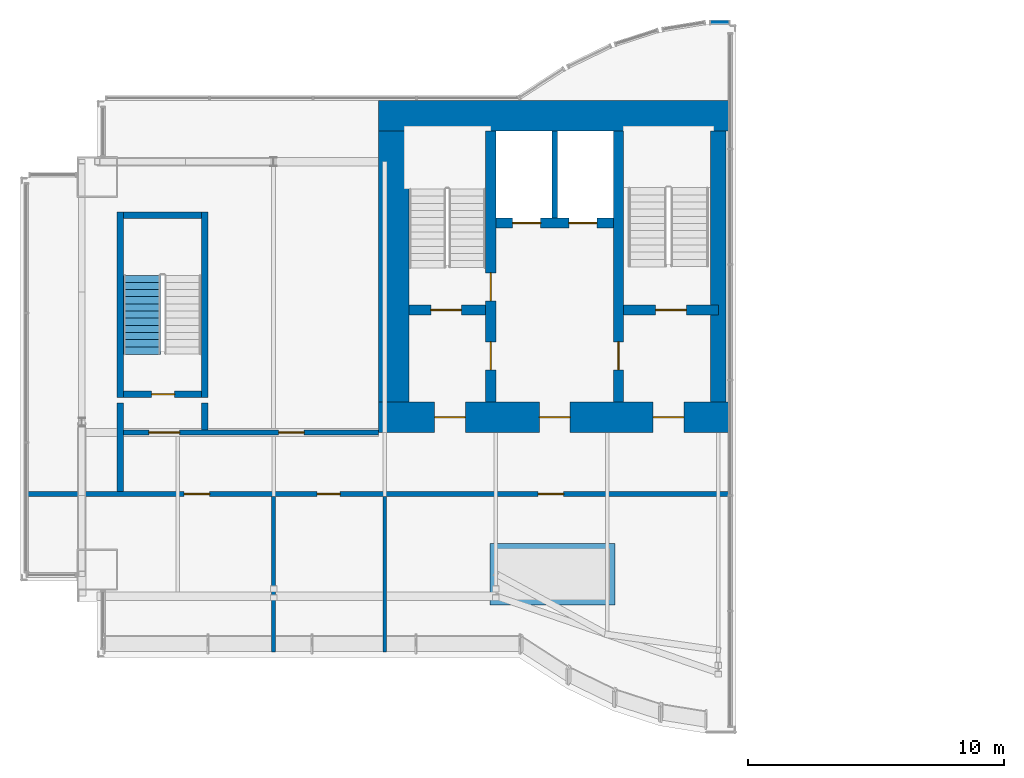
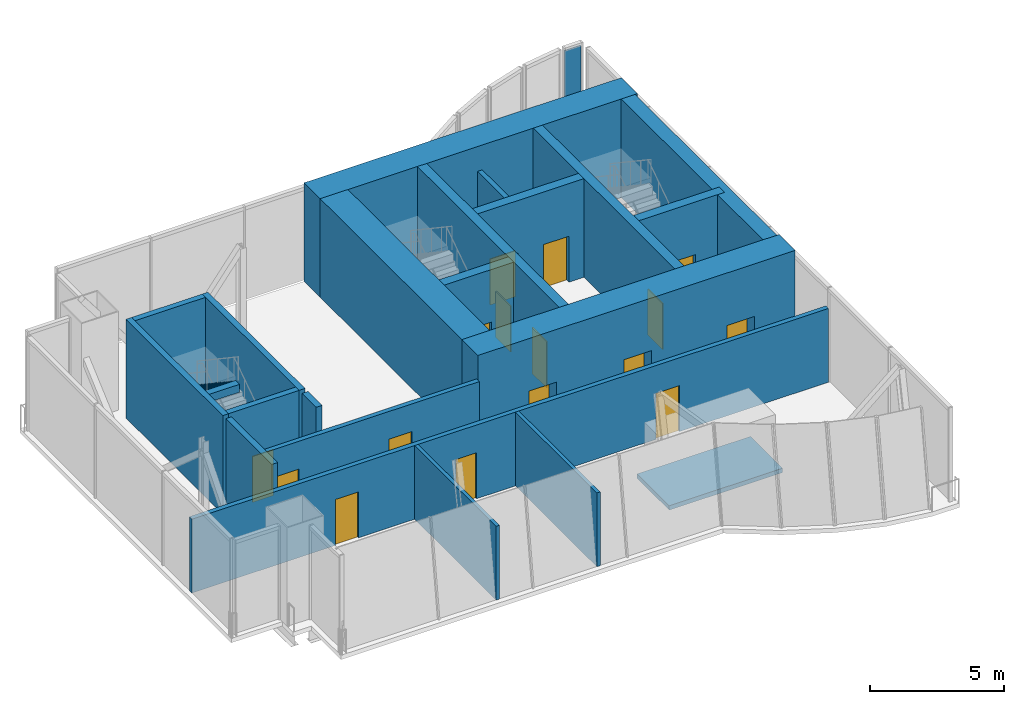
# One storey, part 4 of 7: 21 walls, 16 doors, 1 plate, 1 stair flight, 16 openings, 2 elements without a shape of their own.
"""IFC4 building model written with IfcOpenShell, lengths in metres."""

from ifc_helpers import new_model, si_unit, direction, frame, frame_2d, origin, origin_2d, place, context, subcontext, project, spatial, polyline, rectangle, outline, extrude, material, layer, layer_set, type_object, element, fill, aggregate, save


model = new_model("IFC4")

# Units and contexts
model_context = context("Model", 3, precision=1e-05, world=origin(), true_north=direction((0.0, 1.0)))
body_context = subcontext(model_context, "Body", "Model", "MODEL_VIEW")
ifc_project = project(units=[si_unit("LENGTHUNIT", "METRE"), si_unit("AREAUNIT", "SQUARE_METRE"), si_unit("VOLUMEUNIT", "CUBIC_METRE"), si_unit("PLANEANGLEUNIT", "RADIAN"), si_unit("MASSUNIT", "GRAM", prefix="KILO")], contexts=[model_context])

# Site, building, storey
site_placement = place(None, origin())
site = spatial("IfcSite", under=ifc_project, at=site_placement, CompositionType="ELEMENT")
building_placement = place(site_placement, origin())
building = spatial("IfcBuilding", under=site, at=building_placement, Name="Bicima Exchange Tower", CompositionType="ELEMENT")
storey_placement = place(building_placement, frame((0.0, 0.0, 361.39990234375)))
storey = spatial("IfcBuildingStorey", under=building, at=storey_placement, Name="L81", CompositionType="ELEMENT", Elevation=361.39990234375)

# Curtain wall, plate
ifc_material_1 = material(Name="Anodised bronze aluminium", Category="aluminium")
curtain_wall_type = type_object("IfcCurtainWallType", Name="Crown glass wall", PredefinedType="NOTDEFINED", material=ifc_material_1)
curtain_wall_placement = place(storey_placement, origin())
curtain_wall = element("IfcCurtainWall", 1, at=curtain_wall_placement, inside=storey, type_object=curtain_wall_type, Name="Crown glass wall L81 run 3", PredefinedType="NOTDEFINED")
ifc_material_2 = material(Name="Bronze tinted glass", Category="glass")
ifc_layer_1 = layer(ifc_material_2, 0.035888671875)
ifc_layer_set_1 = layer_set([ifc_layer_1], Name="Bronze tinted glass")
plate_type = type_object("IfcPlateType", Name="Crown glass wall glass panel 36", PredefinedType="CURTAIN_PANEL", material=ifc_layer_set_1)
plate_placement = place(storey_placement, frame((-8.64404296875, 3.052978515625, 0.0), z_axis=(0.0, 0.0, 1.0), x_axis=(-1.0, 0.0, 0.0)))
plate = element("IfcPlate", 2, at=plate_placement, type_object=plate_type, Name="Crown glass wall panel 1.1", PredefinedType="CURTAIN_PANEL", context=body_context, shape_type="SweptSolid", body=[
    extrude(rectangle(XDim=0.708251953125, YDim=0.035888671875, at=origin_2d()), origin(), (0.0, 0.0, 1.0), 4.139892578125),
])
aggregate(curtain_wall, [plate])

# Wall
ifc_material_3 = material(Name="Gypsum board partition")
ifc_layer_2 = layer(ifc_material_3, 0.199951171875)
ifc_layer_set_2 = layer_set([ifc_layer_2], Name="Gypsum board partition")
wall_type_1 = type_object("IfcWallType", Name="Fire-rated gypsum partition 200 EI120", PredefinedType="PARTITIONING", material=ifc_layer_set_2)
wall_1_placement = place(storey_placement, frame((-15.10009765625, -4.60009765625, 0.0), z_axis=(0.0, 0.0, 1.0), x_axis=(0.0, 1.0, 0.0)))
element("IfcWall", 3, at=wall_1_placement, inside=storey, type_object=wall_type_1, Name="partition wall 5", PredefinedType="PARTITIONING", context=body_context, shape_type="SweptSolid", body=[
    extrude(rectangle(XDim=3.400146484375, YDim=0.199951171875, at=frame_2d((1.7001953125, 0.0))), origin(), (0.0, 0.0, 1.0), 3.368408203125),
])

# Wall, openings, doors
ifc_layer_3 = layer(ifc_material_3, 0.199951171875)
ifc_layer_set_3 = layer_set([ifc_layer_3], Name="Gypsum board partition")
wall_type_2 = type_object("IfcWallType", Name="Fire-rated gypsum partition 200 EI60", PredefinedType="PARTITIONING", material=ifc_layer_set_3)
wall_2_placement = place(storey_placement, frame((-35.7900390625, -15.39990234375, 0.0), z_axis=(0.0, 0.0, 1.0), x_axis=(1.0, 0.0, 0.0)))
wall_2 = element("IfcWall", 4, at=wall_2_placement, inside=storey, type_object=wall_type_2, Name="partition wall 1", PredefinedType="PARTITIONING", context=body_context, shape_type="SweptSolid", body=[
    extrude(rectangle(XDim=27.489990234375, YDim=0.199951171875, at=frame_2d((13.7451171875, 0.0))), origin(), (0.0, 0.0, 1.0), 3.368408203125),
])
opening_1_placement = place(wall_2_placement, frame((6.18994140625, 0.0, 0.0)))
opening_1 = element("IfcOpeningElement", 5, at=opening_1_placement, cuts=wall_2, Name="Opening L81-004", PredefinedType="OPENING", context=body_context, shape_type="SweptSolid", body=[
    extrude(rectangle(XDim=1.0, YDim=2.10009765625, at=frame_2d((0.5, 1.050048828125))), frame((0.0, 0.11181640625, 0.0), z_axis=(0.0, -1.0, 0.0), x_axis=(1.0, 0.0, 0.0)), (0.0, 0.0, 1.0), 0.223876953125),
])
opening_2_placement = place(wall_2_placement, frame((11.389892578125, 0.0, 0.0)))
opening_2 = element("IfcOpeningElement", 6, at=opening_2_placement, cuts=wall_2, Name="Opening L81-005", PredefinedType="OPENING", context=body_context, shape_type="SweptSolid", body=[
    extrude(rectangle(XDim=0.89990234375, YDim=2.10009765625, at=frame_2d((0.449951171875, 1.050048828125))), frame((0.0, 0.11181640625, 0.0), z_axis=(0.0, -1.0, 0.0), x_axis=(1.0, 0.0, 0.0)), (0.0, 0.0, 1.0), 0.223876953125),
])
opening_3_placement = place(wall_2_placement, frame((20.0400390625, 0.0, 0.0)))
opening_3 = element("IfcOpeningElement", 7, at=opening_3_placement, cuts=wall_2, Name="Opening L81-006", PredefinedType="OPENING", context=body_context, shape_type="SweptSolid", body=[
    extrude(rectangle(XDim=1.0, YDim=2.10009765625, at=frame_2d((0.5, 1.050048828125))), frame((0.0, 0.11181640625, 0.0), z_axis=(0.0, -1.0, 0.0), x_axis=(1.0, 0.0, 0.0)), (0.0, 0.0, 1.0), 0.223876953125),
])
ifc_material_4 = material(Name="Steel fire door leaf", Category="steel")
door_type_1 = type_object("IfcDoorType", Name="Door 1000 swing FD30S", OperationType="SINGLE_SWING_LEFT", PredefinedType="DOOR", material=ifc_material_4)
door_1_placement = place(opening_1_placement, frame((1.0, 0.0, 0.0), z_axis=(0.0, 0.0, 1.0), x_axis=(-1.0, 0.0, 0.0)))
door_1 = element("IfcDoor", 8, at=door_1_placement, inside=storey, type_object=door_type_1, Name="Door", OperationType="SINGLE_SWING_LEFT", OverallHeight=2.10009765625, OverallWidth=1.0, PredefinedType="DOOR", context=body_context, shape_type="SweptSolid", body=[
    extrude(rectangle(XDim=1.0, YDim=2.10009765625, at=frame_2d((0.5, 1.050048828125))), frame((0.0, 0.02490234375, 0.0), z_axis=(0.0, -1.0, 0.0), x_axis=(1.0, 0.0, 0.0)), (0.0, 0.0, 1.0), 0.050048828125),
])
fill(opening_1, door_1)
door_2_placement = place(opening_3_placement, frame((1.0, 0.0, 0.0), z_axis=(0.0, 0.0, 1.0), x_axis=(-1.0, 0.0, 0.0)))
door_2 = element("IfcDoor", 9, at=door_2_placement, inside=storey, type_object=door_type_1, Name="Door", OperationType="SINGLE_SWING_RIGHT", OverallHeight=2.10009765625, OverallWidth=1.0, PredefinedType="DOOR", context=body_context, shape_type="SweptSolid", body=[
    extrude(rectangle(XDim=1.0, YDim=2.10009765625, at=frame_2d((0.5, 1.050048828125))), frame((0.0, 0.02490234375, 0.0), z_axis=(0.0, -1.0, 0.0), x_axis=(1.0, 0.0, 0.0)), (0.0, 0.0, 1.0), 0.050048828125),
])
fill(opening_3, door_2)
door_type_2 = type_object("IfcDoorType", Name="Door 900 swing FD30S", OperationType="SINGLE_SWING_LEFT", PredefinedType="DOOR", material=ifc_material_4)
door_3_placement = place(opening_2_placement, frame((0.89990234375, 0.0, 0.0), z_axis=(0.0, 0.0, 1.0), x_axis=(-1.0, 0.0, 0.0)))
door_3 = element("IfcDoor", 10, at=door_3_placement, inside=storey, type_object=door_type_2, Name="Door", OperationType="SINGLE_SWING_RIGHT", OverallHeight=2.10009765625, OverallWidth=0.89990234375, PredefinedType="DOOR", context=body_context, shape_type="SweptSolid", body=[
    extrude(rectangle(XDim=0.89990234375, YDim=2.10009765625, at=frame_2d((0.449951171875, 1.050048828125))), frame((0.0, 0.02490234375, 0.0), z_axis=(0.0, -1.0, 0.0), x_axis=(1.0, 0.0, 0.0)), (0.0, 0.0, 1.0), 0.050048828125),
])
fill(opening_2, door_3)

wall_3_placement = place(storey_placement, frame((-31.97509765625, -13.0, 0.0), z_axis=(0.0, 0.0, 1.0), x_axis=(1.0, 0.0, 0.0)))
wall_3 = element("IfcWall", 11, at=wall_3_placement, inside=storey, type_object=wall_type_2, Name="partition wall 2", PredefinedType="PARTITIONING", context=body_context, shape_type="SweptSolid", body=[
    extrude(rectangle(XDim=9.97509765625, YDim=0.199951171875, at=frame_2d((4.987548828125, 0.0))), origin(), (0.0, 0.0, 1.0), 3.368408203125),
])
opening_4_placement = place(wall_3_placement, frame((1.0, 0.0, 0.0)))
opening_4 = element("IfcOpeningElement", 12, at=opening_4_placement, cuts=wall_3, Name="Opening L81-001", PredefinedType="OPENING", context=body_context, shape_type="SweptSolid", body=[
    extrude(rectangle(XDim=1.199951171875, YDim=2.10009765625, at=frame_2d((0.60009765625, 1.050048828125))), frame((0.0, 0.11181640625, 0.0), z_axis=(0.0, -1.0, 0.0), x_axis=(1.0, 0.0, 0.0)), (0.0, 0.0, 1.0), 0.223876953125),
])
opening_5_placement = place(wall_3_placement, frame((6.074951171875, 0.0, 0.0)))
opening_5 = element("IfcOpeningElement", 13, at=opening_5_placement, cuts=wall_3, Name="Opening L81-003", PredefinedType="OPENING", context=body_context, shape_type="SweptSolid", body=[
    extrude(rectangle(XDim=1.0, YDim=2.10009765625, at=frame_2d((0.5, 1.050048828125))), frame((0.0, 0.11181640625, 0.0), z_axis=(0.0, -1.0, 0.0), x_axis=(1.0, 0.0, 0.0)), (0.0, 0.0, 1.0), 0.223876953125),
])
door_4_placement = place(opening_5_placement, origin())
door_4 = element("IfcDoor", 14, at=door_4_placement, inside=storey, type_object=door_type_1, Name="Door", OperationType="SINGLE_SWING_RIGHT", OverallHeight=2.10009765625, OverallWidth=1.0, PredefinedType="DOOR", context=body_context, shape_type="SweptSolid", body=[
    extrude(rectangle(XDim=1.0, YDim=2.10009765625, at=frame_2d((0.5, 1.050048828125))), frame((0.0, 0.02490234375, 0.0), z_axis=(0.0, -1.0, 0.0), x_axis=(1.0, 0.0, 0.0)), (0.0, 0.0, 1.0), 0.050048828125),
])
fill(opening_5, door_4)
door_type_3 = type_object("IfcDoorType", Name="Door 1200 swing FD30S", OperationType="SINGLE_SWING_LEFT", PredefinedType="DOOR", material=ifc_material_4)
door_5_placement = place(opening_4_placement, origin())
door_5 = element("IfcDoor", 15, at=door_5_placement, inside=storey, type_object=door_type_3, Name="Door", OperationType="SINGLE_SWING_LEFT", OverallHeight=2.10009765625, OverallWidth=1.199951171875, PredefinedType="DOOR", context=body_context, shape_type="SweptSolid", body=[
    extrude(rectangle(XDim=1.199951171875, YDim=2.10009765625, at=frame_2d((0.60009765625, 1.050048828125))), frame((0.0, 0.02490234375, 0.0), z_axis=(0.0, -1.0, 0.0), x_axis=(1.0, 0.0, 0.0)), (0.0, 0.0, 1.0), 0.050048828125),
])
fill(opening_4, door_5)

# Walls
ifc_layer_4 = layer(ifc_material_3, 0.14990234375)
ifc_layer_set_4 = layer_set([ifc_layer_4], Name="Gypsum board partition")
wall_type_3 = type_object("IfcWallType", Name="Gypsum partition 150", PredefinedType="PARTITIONING", material=ifc_layer_set_4)
for number, where, z_axis, x_axis, name in (
    (16, (-26.10009765625, -21.590087890625, 0.0), (0.0, 0.0, 1.0), (0.0, 1.0, 0.0), "partition wall 7"),
    (17, (-21.75, -21.590087890625, 0.0), (0.0, 0.0, 1.0), (0.0, 1.0, 0.0), "partition wall 8"),
):
    element("IfcWall", number, at=place(storey_placement, frame(where, z_axis=z_axis, x_axis=x_axis)), inside=storey, type_object=wall_type_3, Name=name, PredefinedType="PARTITIONING", context=body_context, shape_type="SweptSolid", body=[
        extrude(rectangle(XDim=6.090087890625, YDim=0.14990234375, at=frame_2d((3.044921875, 0.0))), origin(), (0.0, 0.0, 1.0), 3.368408203125),
    ])
ifc_material_5 = material(Name="Concrete C40/50", Category="concrete")
ifc_layer_5 = layer(ifc_material_5, 0.2)
ifc_layer_set_5 = layer_set([ifc_layer_5], Name="Concrete C40/50")
wall_type_4 = type_object("IfcWallType", Name="Plant plinth 200", PredefinedType="USERDEFINED", material=ifc_layer_set_5)
wall_4_placement = place(storey_placement, frame((-15.18505859375, -18.544921875, 0.0), z_axis=(0.0, 0.0, 1.0), x_axis=(1.0, 0.0, 0.0)))
element("IfcWall", 18, at=wall_4_placement, inside=storey, type_object=wall_type_4, Name="Plant plinth Generator set", ObjectType="PLINTH", PredefinedType="USERDEFINED", context=body_context, shape_type="SweptSolid", body=[
    extrude(rectangle(XDim=4.89990234375, YDim=2.39990234375, at=origin_2d()), origin(), (0.0, 0.0, 1.0), 0.199951171875),
])
ifc_layer_6 = layer(ifc_material_5, 1.199951171875)
ifc_layer_set_6 = layer_set([ifc_layer_6], Name="Concrete C40/50")
wall_type_5 = type_object("IfcWallType", Name="RC core wall 1200 C40/50", PredefinedType="SHEAR", material=ifc_layer_set_6)
wall_5_placement = place(storey_placement, frame((-22.0, -0.60009765625, 0.0), z_axis=(0.0, 0.0, 1.0), x_axis=(1.0, 0.0, 0.0)))
element("IfcWall", 19, at=wall_5_placement, inside=storey, type_object=wall_type_5, Name="Core wall north-W", PredefinedType="SHEAR", context=body_context, shape_type="SweptSolid", body=[
    extrude(rectangle(XDim=13.699951171875, YDim=1.199951171875, at=frame_2d((6.85009765625, 0.0))), origin(), (0.0, 0.0, 1.0), 4.5),
])

# Wall, openings, doors
wall_6_placement = place(storey_placement, frame((-22.0, -12.39990234375, 0.0), z_axis=(0.0, 0.0, 1.0), x_axis=(1.0, 0.0, 0.0)))
wall_6 = element("IfcWall", 20, at=wall_6_placement, inside=storey, type_object=wall_type_5, Name="Core wall south-W", PredefinedType="SHEAR", context=body_context, shape_type="SweptSolid", body=[
    extrude(rectangle(XDim=13.699951171875, YDim=1.199951171875, at=frame_2d((6.85009765625, 0.0))), origin(), (0.0, 0.0, 1.0), 4.5),
])
opening_6_placement = place(wall_6_placement, frame((2.199951171875, 0.0, 0.0)))
opening_6 = element("IfcOpeningElement", 21, at=opening_6_placement, cuts=wall_6, Name="Opening L81-C06", PredefinedType="OPENING", context=body_context, shape_type="SweptSolid", body=[
    extrude(rectangle(XDim=1.199951171875, YDim=2.10009765625, at=frame_2d((0.60009765625, 1.050048828125))), frame((0.0, 0.61181640625, 0.0), z_axis=(0.0, -1.0, 0.0), x_axis=(1.0, 0.0, 0.0)), (0.0, 0.0, 1.0), 1.223876953125),
])
opening_7_placement = place(wall_6_placement, frame((10.75, 0.0, 0.0)))
opening_7 = element("IfcOpeningElement", 22, at=opening_7_placement, cuts=wall_6, Name="Opening L81-C07", PredefinedType="OPENING", context=body_context, shape_type="SweptSolid", body=[
    extrude(rectangle(XDim=1.199951171875, YDim=2.10009765625, at=frame_2d((0.60009765625, 1.050048828125))), frame((0.0, 0.61181640625, 0.0), z_axis=(0.0, -1.0, 0.0), x_axis=(1.0, 0.0, 0.0)), (0.0, 0.0, 1.0), 1.223876953125),
])
opening_8_placement = place(wall_6_placement, frame((6.300048828125, 0.0, 0.0)))
opening_8 = element("IfcOpeningElement", 23, at=opening_8_placement, cuts=wall_6, Name="Opening L81-C08", PredefinedType="OPENING", context=body_context, shape_type="SweptSolid", body=[
    extrude(rectangle(XDim=1.199951171875, YDim=2.10009765625, at=frame_2d((0.60009765625, 1.050048828125))), frame((0.0, 0.61181640625, 0.0), z_axis=(0.0, -1.0, 0.0), x_axis=(1.0, 0.0, 0.0)), (0.0, 0.0, 1.0), 1.223876953125),
])
door_type_4 = type_object("IfcDoorType", Name="Door 1200 swing FD60S", OperationType="SINGLE_SWING_LEFT", PredefinedType="DOOR", material=ifc_material_4)
door_6_placement = place(opening_6_placement, frame((1.199951171875, 0.0, 0.0), z_axis=(0.0, 0.0, 1.0), x_axis=(-1.0, 0.0, 0.0)))
door_6 = element("IfcDoor", 24, at=door_6_placement, inside=storey, type_object=door_type_4, Name="Core door", OperationType="SINGLE_SWING_RIGHT", OverallHeight=2.10009765625, OverallWidth=1.199951171875, PredefinedType="DOOR", context=body_context, shape_type="SweptSolid", body=[
    extrude(rectangle(XDim=1.199951171875, YDim=2.10009765625, at=frame_2d((0.60009765625, 1.050048828125))), frame((0.0, 0.02490234375, 0.0), z_axis=(0.0, -1.0, 0.0), x_axis=(1.0, 0.0, 0.0)), (0.0, 0.0, 1.0), 0.050048828125),
])
fill(opening_6, door_6)
door_7_placement = place(opening_7_placement, frame((1.199951171875, 0.0, 0.0), z_axis=(0.0, 0.0, 1.0), x_axis=(-1.0, 0.0, 0.0)))
door_7 = element("IfcDoor", 25, at=door_7_placement, inside=storey, type_object=door_type_4, Name="Core door", OperationType="SINGLE_SWING_RIGHT", OverallHeight=2.10009765625, OverallWidth=1.199951171875, PredefinedType="DOOR", context=body_context, shape_type="SweptSolid", body=[
    extrude(rectangle(XDim=1.199951171875, YDim=2.10009765625, at=frame_2d((0.60009765625, 1.050048828125))), frame((0.0, 0.02490234375, 0.0), z_axis=(0.0, -1.0, 0.0), x_axis=(1.0, 0.0, 0.0)), (0.0, 0.0, 1.0), 0.050048828125),
])
fill(opening_7, door_7)
door_8_placement = place(opening_8_placement, frame((1.199951171875, 0.0, 0.0), z_axis=(0.0, 0.0, 1.0), x_axis=(-1.0, 0.0, 0.0)))
door_8 = element("IfcDoor", 26, at=door_8_placement, inside=storey, type_object=door_type_4, Name="Core door", OperationType="SINGLE_SWING_RIGHT", OverallHeight=2.10009765625, OverallWidth=1.199951171875, PredefinedType="DOOR", context=body_context, shape_type="SweptSolid", body=[
    extrude(rectangle(XDim=1.199951171875, YDim=2.10009765625, at=frame_2d((0.60009765625, 1.050048828125))), frame((0.0, 0.02490234375, 0.0), z_axis=(0.0, -1.0, 0.0), x_axis=(1.0, 0.0, 0.0)), (0.0, 0.0, 1.0), 0.050048828125),
])
fill(opening_8, door_8)

# Walls
wall_7_placement = place(storey_placement, frame((-21.39990234375, -11.800048828125, 0.0), z_axis=(0.0, 0.0, 1.0), x_axis=(0.0, 1.0, 0.0)))
element("IfcWall", 27, at=wall_7_placement, inside=storey, type_object=wall_type_5, Name="Core wall outer-W", PredefinedType="SHEAR", context=body_context, shape_type="SweptSolid", body=[
    extrude(rectangle(XDim=10.60009765625, YDim=1.199951171875, at=frame_2d((5.300048828125, 0.0))), origin(), (0.0, 0.0, 1.0), 4.5),
])
ifc_material_6 = material(Name="Concrete C50/60", Category="concrete")
ifc_layer_7 = layer(ifc_material_6, 0.25)
ifc_layer_set_7 = layer_set([ifc_layer_7], Name="Concrete C50/60")
wall_type_6 = type_object("IfcWallType", Name="RC core wall 250 C50/60", PredefinedType="SHEAR", material=ifc_layer_set_7)
wall_8_placement = place(storey_placement, frame((-32.10009765625, -15.300048828125, 0.0), z_axis=(0.0, 0.0, 1.0), x_axis=(0.0, 1.0, 0.0)))
element("IfcWall", 28, at=wall_8_placement, inside=storey, type_object=wall_type_6, Name="stair wall 5", PredefinedType="SHEAR", context=body_context, shape_type="SweptSolid", body=[
    extrude(rectangle(XDim=3.449951171875, YDim=0.25, at=frame_2d((1.72509765625, 0.0))), origin(), (0.0, 0.0, 1.0), 4.5),
])
wall_9_placement = place(storey_placement, frame((-28.800048828125, -12.89990234375, 0.0), z_axis=(0.0, 0.0, 1.0), x_axis=(0.0, 1.0, 0.0)))
element("IfcWall", 29, at=wall_9_placement, inside=storey, type_object=wall_type_6, Name="stair wall 6", PredefinedType="SHEAR", context=body_context, shape_type="SweptSolid", body=[
    extrude(rectangle(XDim=1.0498046875, YDim=0.25, at=frame_2d((0.52490234375, 0.0))), origin(), (0.0, 0.0, 1.0), 4.5),
])

# Wall, openings, doors
ifc_layer_8 = layer(ifc_material_5, 0.39990234375)
ifc_layer_set_8 = layer_set([ifc_layer_8], Name="Concrete C40/50")
wall_type_7 = type_object("IfcWallType", Name="RC core wall 400 C40/50", PredefinedType="SHEAR", material=ifc_layer_set_8)
wall_10_placement = place(storey_placement, frame((-17.39990234375, -4.800048828125, 0.0), z_axis=(0.0, 0.0, 1.0), x_axis=(1.0, 0.0, 0.0)))
wall_10 = element("IfcWall", 30, at=wall_10_placement, inside=storey, type_object=wall_type_7, Name="shear wall 3", PredefinedType="SHEAR", context=body_context, shape_type="SweptSolid", body=[
    extrude(rectangle(XDim=4.599853515625, YDim=0.39990234375, at=frame_2d((2.2998046875, 0.0))), origin(), (0.0, 0.0, 1.0), 4.5),
])
opening_9_placement = place(wall_10_placement, frame((0.64990234375, 0.0, 0.0)))
opening_9 = element("IfcOpeningElement", 31, at=opening_9_placement, cuts=wall_10, Name="Opening LD-FF1-L81", PredefinedType="OPENING", context=body_context, shape_type="SweptSolid", body=[
    extrude(rectangle(XDim=1.10009765625, YDim=2.10009765625, at=frame_2d((0.550048828125, 1.050048828125))), frame((0.0, 0.2119140625, 0.0), z_axis=(0.0, -1.0, 0.0), x_axis=(1.0, 0.0, 0.0)), (0.0, 0.0, 1.0), 0.423828125),
])
opening_10_placement = place(wall_10_placement, frame((2.85009765625, 0.0, 0.0)))
opening_10 = element("IfcOpeningElement", 32, at=opening_10_placement, cuts=wall_10, Name="Opening LD-FF3-L81", PredefinedType="OPENING", context=body_context, shape_type="SweptSolid", body=[
    extrude(rectangle(XDim=1.10009765625, YDim=2.10009765625, at=frame_2d((0.550048828125, 1.050048828125))), frame((0.0, 0.2119140625, 0.0), z_axis=(0.0, -1.0, 0.0), x_axis=(1.0, 0.0, 0.0)), (0.0, 0.0, 1.0), 0.423828125),
])
ifc_material_7 = material(Name="Stainless steel", Category="steel")
door_type_5 = type_object("IfcDoorType", Name="Lift landing door 1100 sliding", OperationType="DOUBLE_DOOR_SLIDING", PredefinedType="DOOR", material=ifc_material_7)
door_9_placement = place(opening_9_placement, origin())
door_9 = element("IfcDoor", 33, at=door_9_placement, inside=storey, type_object=door_type_5, Name="Lift landing door FF1", OperationType="DOUBLE_DOOR_SLIDING", OverallHeight=2.10009765625, OverallWidth=1.10009765625, PredefinedType="DOOR", context=body_context, shape_type="SweptSolid", body=[
    extrude(rectangle(XDim=1.10009765625, YDim=2.10009765625, at=frame_2d((0.550048828125, 1.050048828125))), frame((0.0, 0.02490234375, 0.0), z_axis=(0.0, -1.0, 0.0), x_axis=(1.0, 0.0, 0.0)), (0.0, 0.0, 1.0), 0.050048828125),
])
fill(opening_9, door_9)
door_10_placement = place(opening_10_placement, origin())
door_10 = element("IfcDoor", 34, at=door_10_placement, inside=storey, type_object=door_type_5, Name="Lift landing door FF3", OperationType="DOUBLE_DOOR_SLIDING", OverallHeight=2.10009765625, OverallWidth=1.10009765625, PredefinedType="DOOR", context=body_context, shape_type="SweptSolid", body=[
    extrude(rectangle(XDim=1.10009765625, YDim=2.10009765625, at=frame_2d((0.550048828125, 1.050048828125))), frame((0.0, 0.02490234375, 0.0), z_axis=(0.0, -1.0, 0.0), x_axis=(1.0, 0.0, 0.0)), (0.0, 0.0, 1.0), 0.050048828125),
])
fill(opening_10, door_10)

# Wall, opening, door
ifc_layer_9 = layer(ifc_material_6, 0.39990234375)
ifc_layer_set_9 = layer_set([ifc_layer_9], Name="Concrete C50/60")
wall_type_8 = type_object("IfcWallType", Name="RC core wall 400 C50/60", PredefinedType="SHEAR", material=ifc_layer_set_9)
wall_11_placement = place(storey_placement, frame((-20.800048828125, -8.199951171875, 0.0), z_axis=(0.0, 0.0, 1.0), x_axis=(1.0, 0.0, 0.0)))
wall_11 = element("IfcWall", 35, at=wall_11_placement, inside=storey, type_object=wall_type_8, Name="stair wall 1", PredefinedType="SHEAR", context=body_context, shape_type="SweptSolid", body=[
    extrude(rectangle(XDim=3.0, YDim=0.39990234375, at=frame_2d((1.5, 0.0))), origin(), (0.0, 0.0, 1.0), 4.5),
])
opening_11_placement = place(wall_11_placement, frame((0.85009765625, 0.0, 0.0)))
opening_11 = element("IfcOpeningElement", 36, at=opening_11_placement, cuts=wall_11, Name="Opening L81-C01", PredefinedType="OPENING", context=body_context, shape_type="SweptSolid", body=[
    extrude(rectangle(XDim=1.199951171875, YDim=2.10009765625, at=frame_2d((0.60009765625, 1.050048828125))), frame((0.0, 0.2119140625, 0.0), z_axis=(0.0, -1.0, 0.0), x_axis=(1.0, 0.0, 0.0)), (0.0, 0.0, 1.0), 0.423828125),
])
door_11_placement = place(opening_11_placement, origin())
door_11 = element("IfcDoor", 37, at=door_11_placement, inside=storey, type_object=door_type_4, Name="Core door", OperationType="SINGLE_SWING_LEFT", OverallHeight=2.10009765625, OverallWidth=1.199951171875, PredefinedType="DOOR", context=body_context, shape_type="SweptSolid", body=[
    extrude(rectangle(XDim=1.199951171875, YDim=2.10009765625, at=frame_2d((0.60009765625, 1.050048828125))), frame((0.0, 0.02490234375, 0.0), z_axis=(0.0, -1.0, 0.0), x_axis=(1.0, 0.0, 0.0)), (0.0, 0.0, 1.0), 0.050048828125),
])
fill(opening_11, door_11)

wall_12_placement = place(storey_placement, frame((-12.39990234375, -8.199951171875, 0.0), z_axis=(0.0, 0.0, 1.0), x_axis=(1.0, 0.0, 0.0)))
wall_12 = element("IfcWall", 38, at=wall_12_placement, inside=storey, type_object=wall_type_8, Name="stair wall 2", PredefinedType="SHEAR", context=body_context, shape_type="SweptSolid", body=[
    extrude(rectangle(XDim=3.699951171875, YDim=0.39990234375, at=frame_2d((1.85009765625, 0.0))), origin(), (0.0, 0.0, 1.0), 4.5),
])
opening_12_placement = place(wall_12_placement, frame((1.25, 0.0, 0.0)))
opening_12 = element("IfcOpeningElement", 39, at=opening_12_placement, cuts=wall_12, Name="Opening L81-C03", PredefinedType="OPENING", context=body_context, shape_type="SweptSolid", body=[
    extrude(rectangle(XDim=1.199951171875, YDim=2.10009765625, at=frame_2d((0.60009765625, 1.050048828125))), frame((0.0, 0.2119140625, 0.0), z_axis=(0.0, -1.0, 0.0), x_axis=(1.0, 0.0, 0.0)), (0.0, 0.0, 1.0), 0.423828125),
])
door_12_placement = place(opening_12_placement, origin())
door_12 = element("IfcDoor", 40, at=door_12_placement, inside=storey, type_object=door_type_4, Name="Core door", OperationType="SINGLE_SWING_LEFT", OverallHeight=2.10009765625, OverallWidth=1.199951171875, PredefinedType="DOOR", context=body_context, shape_type="SweptSolid", body=[
    extrude(rectangle(XDim=1.199951171875, YDim=2.10009765625, at=frame_2d((0.60009765625, 1.050048828125))), frame((0.0, 0.02490234375, 0.0), z_axis=(0.0, -1.0, 0.0), x_axis=(1.0, 0.0, 0.0)), (0.0, 0.0, 1.0), 0.050048828125),
])
fill(opening_12, door_12)

# Wall, openings, doors
wall_13_placement = place(storey_placement, frame((-17.60009765625, -11.800048828125, 0.0), z_axis=(0.0, 0.0, 1.0), x_axis=(0.0, 1.0, 0.0)))
wall_13 = element("IfcWall", 41, at=wall_13_placement, inside=storey, type_object=wall_type_8, Name="stair wall 4", PredefinedType="SHEAR", context=body_context, shape_type="SweptSolid", body=[
    extrude(rectangle(XDim=10.60009765625, YDim=0.39990234375, at=frame_2d((5.300048828125, 0.0))), origin(), (0.0, 0.0, 1.0), 4.5),
])
opening_13_placement = place(wall_13_placement, frame((1.25, 0.0, 0.0)))
opening_13 = element("IfcOpeningElement", 42, at=opening_13_placement, cuts=wall_13, Name="Opening L81-C02", PredefinedType="OPENING", context=body_context, shape_type="SweptSolid", body=[
    extrude(rectangle(XDim=1.10009765625, YDim=2.10009765625, at=frame_2d((0.550048828125, 1.050048828125))), frame((0.0, 0.2119140625, 0.0), z_axis=(0.0, -1.0, 0.0), x_axis=(1.0, 0.0, 0.0)), (0.0, 0.0, 1.0), 0.423828125),
])
opening_14_placement = place(wall_13_placement, frame((3.949951171875, 0.0, 0.0)))
opening_14 = element("IfcOpeningElement", 43, at=opening_14_placement, cuts=wall_13, Name="Opening L81-C05", PredefinedType="OPENING", context=body_context, shape_type="SweptSolid", body=[
    extrude(rectangle(XDim=1.10009765625, YDim=2.10009765625, at=frame_2d((0.550048828125, 1.050048828125))), frame((0.0, 0.2119140625, 0.0), z_axis=(0.0, -1.0, 0.0), x_axis=(1.0, 0.0, 0.0)), (0.0, 0.0, 1.0), 0.423828125),
])
door_type_6 = type_object("IfcDoorType", Name="Door 1100 swing FD60S", OperationType="SINGLE_SWING_LEFT", PredefinedType="DOOR", material=ifc_material_4)
door_13_placement = place(opening_13_placement, frame((1.10009765625, 0.0, 0.0), z_axis=(0.0, 0.0, 1.0), x_axis=(-1.0, 0.0, 0.0)))
door_13 = element("IfcDoor", 44, at=door_13_placement, inside=storey, type_object=door_type_6, Name="Core door", OperationType="SINGLE_SWING_LEFT", OverallHeight=2.10009765625, OverallWidth=1.10009765625, PredefinedType="DOOR", context=body_context, shape_type="SweptSolid", body=[
    extrude(rectangle(XDim=1.10009765625, YDim=2.10009765625, at=frame_2d((0.550048828125, 1.050048828125))), frame((0.0, 0.02490234375, 0.0), z_axis=(0.0, -1.0, 0.0), x_axis=(1.0, 0.0, 0.0)), (0.0, 0.0, 1.0), 0.050048828125),
])
fill(opening_13, door_13)
door_14_placement = place(opening_14_placement, frame((1.10009765625, 0.0, 0.0), z_axis=(0.0, 0.0, 1.0), x_axis=(-1.0, 0.0, 0.0)))
door_14 = element("IfcDoor", 45, at=door_14_placement, inside=storey, type_object=door_type_6, Name="Core door", OperationType="SINGLE_SWING_RIGHT", OverallHeight=2.10009765625, OverallWidth=1.10009765625, PredefinedType="DOOR", context=body_context, shape_type="SweptSolid", body=[
    extrude(rectangle(XDim=1.10009765625, YDim=2.10009765625, at=frame_2d((0.550048828125, 1.050048828125))), frame((0.0, 0.02490234375, 0.0), z_axis=(0.0, -1.0, 0.0), x_axis=(1.0, 0.0, 0.0)), (0.0, 0.0, 1.0), 0.050048828125),
])
fill(opening_14, door_14)

# Wall, opening, door
wall_14_placement = place(storey_placement, frame((-12.60009765625, -11.800048828125, 0.0), z_axis=(0.0, 0.0, 1.0), x_axis=(0.0, 1.0, 0.0)))
wall_14 = element("IfcWall", 46, at=wall_14_placement, inside=storey, type_object=wall_type_8, Name="stair wall 6", PredefinedType="SHEAR", context=body_context, shape_type="SweptSolid", body=[
    extrude(rectangle(XDim=10.60009765625, YDim=0.39990234375, at=frame_2d((5.300048828125, 0.0))), origin(), (0.0, 0.0, 1.0), 4.5),
])
opening_15_placement = place(wall_14_placement, frame((1.25, 0.0, 0.0)))
opening_15 = element("IfcOpeningElement", 47, at=opening_15_placement, cuts=wall_14, Name="Opening L81-C04", PredefinedType="OPENING", context=body_context, shape_type="SweptSolid", body=[
    extrude(rectangle(XDim=1.10009765625, YDim=2.10009765625, at=frame_2d((0.550048828125, 1.050048828125))), frame((0.0, 0.2119140625, 0.0), z_axis=(0.0, -1.0, 0.0), x_axis=(1.0, 0.0, 0.0)), (0.0, 0.0, 1.0), 0.423828125),
])
door_15_placement = place(opening_15_placement, origin())
door_15 = element("IfcDoor", 48, at=door_15_placement, inside=storey, type_object=door_type_6, Name="Core door", OperationType="SINGLE_SWING_RIGHT", OverallHeight=2.10009765625, OverallWidth=1.10009765625, PredefinedType="DOOR", context=body_context, shape_type="SweptSolid", body=[
    extrude(rectangle(XDim=1.10009765625, YDim=2.10009765625, at=frame_2d((0.550048828125, 1.050048828125))), frame((0.0, 0.02490234375, 0.0), z_axis=(0.0, -1.0, 0.0), x_axis=(1.0, 0.0, 0.0)), (0.0, 0.0, 1.0), 0.050048828125),
])
fill(opening_15, door_15)

# Walls
ifc_layer_10 = layer(ifc_material_5, 0.60009765625)
ifc_layer_set_10 = layer_set([ifc_layer_10], Name="Concrete C40/50")
wall_type_9 = type_object("IfcWallType", Name="RC core wall 600 C40/50", PredefinedType="SHEAR", material=ifc_layer_set_10)
wall_15_placement = place(storey_placement, frame((-8.699951171875, -11.800048828125, 0.0), z_axis=(0.0, 0.0, 1.0), x_axis=(0.0, 1.0, 0.0)))
element("IfcWall", 49, at=wall_15_placement, inside=storey, type_object=wall_type_9, Name="Core wall close-W", PredefinedType="SHEAR", context=body_context, shape_type="SweptSolid", body=[
    extrude(rectangle(XDim=10.60009765625, YDim=0.60009765625, at=frame_2d((5.300048828125, 0.0))), origin(), (0.0, 0.0, 1.0), 4.5),
])
ifc_layer_11 = layer(ifc_material_6, 0.25)
ifc_layer_set_11 = layer_set([ifc_layer_11], Name="Concrete C50/60")
wall_type_10 = type_object("IfcWallType", Name="RC stair enclosure wall 250 C50/60", PredefinedType="SHEAR", material=ifc_layer_set_11)
for number, where, z_axis, x_axis, name in (
    (50, (-32.10009765625, -11.625, 0.0), (0.0, 0.0, 1.0), (0.0, 1.0, 0.0), "West end exit stair wall W"),
    (51, (-28.800048828125, -11.625, 0.0), (0.0, 0.0, 1.0), (0.0, 1.0, 0.0), "West end exit stair wall E"),
):
    element("IfcWall", number, at=place(storey_placement, frame(where, z_axis=z_axis, x_axis=x_axis)), inside=storey, type_object=wall_type_10, Name=name, PredefinedType="SHEAR", context=body_context, shape_type="SweptSolid", body=[
        extrude(rectangle(XDim=7.25, YDim=0.25, at=frame_2d((3.625, 0.0))), origin(), (0.0, 0.0, 1.0), 4.5),
    ])

# Wall, opening, door
wall_16_placement = place(storey_placement, frame((-31.97509765625, -11.5, 0.0), z_axis=(0.0, 0.0, 1.0), x_axis=(1.0, 0.0, 0.0)))
wall_16 = element("IfcWall", 52, at=wall_16_placement, inside=storey, type_object=wall_type_10, Name="West end exit stair wall S", PredefinedType="SHEAR", context=body_context, shape_type="SweptSolid", body=[
    extrude(rectangle(XDim=3.050048828125, YDim=0.25, at=frame_2d((1.52490234375, 0.0))), origin(), (0.0, 0.0, 1.0), 4.5),
])
opening_16_placement = place(wall_16_placement, frame((1.10009765625, 0.0, 0.0)))
opening_16 = element("IfcOpeningElement", 53, at=opening_16_placement, cuts=wall_16, Name="Opening L81-002", PredefinedType="OPENING", context=body_context, shape_type="SweptSolid", body=[
    extrude(rectangle(XDim=0.89990234375, YDim=2.10009765625, at=frame_2d((0.449951171875, 1.050048828125))), frame((0.0, 0.136962890625, 0.0), z_axis=(0.0, -1.0, 0.0), x_axis=(1.0, 0.0, 0.0)), (0.0, 0.0, 1.0), 0.27392578125),
])
door_type_7 = type_object("IfcDoorType", Name="Door 900 swing FD60S", OperationType="SINGLE_SWING_LEFT", PredefinedType="DOOR", material=ifc_material_4)
door_16_placement = place(opening_16_placement, origin())
door_16 = element("IfcDoor", 54, at=door_16_placement, inside=storey, type_object=door_type_7, Name="Door", OperationType="SINGLE_SWING_LEFT", OverallHeight=2.10009765625, OverallWidth=0.89990234375, PredefinedType="DOOR", context=body_context, shape_type="SweptSolid", body=[
    extrude(rectangle(XDim=0.89990234375, YDim=2.10009765625, at=frame_2d((0.449951171875, 1.050048828125))), frame((0.0, 0.02490234375, 0.0), z_axis=(0.0, -1.0, 0.0), x_axis=(1.0, 0.0, 0.0)), (0.0, 0.0, 1.0), 0.050048828125),
])
fill(opening_16, door_16)

# Wall
wall_17_placement = place(storey_placement, frame((-31.97509765625, -4.5, 0.0), z_axis=(0.0, 0.0, 1.0), x_axis=(1.0, 0.0, 0.0)))
element("IfcWall", 55, at=wall_17_placement, inside=storey, type_object=wall_type_10, Name="West end exit stair wall N", PredefinedType="SHEAR", context=body_context, shape_type="SweptSolid", body=[
    extrude(rectangle(XDim=3.050048828125, YDim=0.25, at=frame_2d((1.52490234375, 0.0))), origin(), (0.0, 0.0, 1.0), 4.5),
])

# Stair, stair flight
stair_type = type_object("IfcStairType", Name="Exit stair", PredefinedType="HALF_TURN_STAIR", material=ifc_material_6)
stair_placement = place(storey_placement, origin())
stair = element("IfcStair", 56, at=stair_placement, inside=storey, type_object=stair_type, Name="L81 West end exit stair", PredefinedType="HALF_TURN_STAIR")
stair_flight_type = type_object("IfcStairFlightType", Name="Stair flight RC", PredefinedType="STRAIGHT", material=ifc_material_6)
stair_flight_placement = place(storey_placement, frame((-31.25, -6.844970703125, 2.25), z_axis=(0.0, 0.0, 1.0), x_axis=(0.0, -1.0, 0.0)))
stair_flight = element("IfcStairFlight", 57, at=stair_flight_placement, type_object=stair_flight_type, Name="ST-WW flight 2", NumberOfRisers=12, NumberOfTreads=11, PredefinedType="STRAIGHT", RiserHeight=0.1875, TreadLength=0.28, context=body_context, shape_type="SweptSolid", body=[
    extrude(outline(polyline([(0.0, 0.0), (0.0, 0.1875), (0.280029296875, 0.1875), (0.280029296875, 0.375), (0.56005859375, 0.375), (0.56005859375, 0.5625), (0.840087890625, 0.5625), (0.840087890625, 0.75), (1.1201171875, 0.75), (1.1201171875, 0.9375), (1.39990234375, 0.9375), (1.39990234375, 1.125), (1.679931640625, 1.125), (1.679931640625, 1.3125), (1.9599609375, 1.3125), (1.9599609375, 1.5), (2.239990234375, 1.5), (2.239990234375, 1.6875), (2.52001953125, 1.6875), (2.52001953125, 1.875), (2.800048828125, 1.875), (2.800048828125, 2.0625), (3.080078125, 2.0625), (3.094970703125, 2.0625), (3.094970703125, 1.70458984375), (0.26953125, 0.0), (0.0, 0.0)])), frame((0.0, 0.72509765625, 0.0), z_axis=(0.0, -1.0, 0.0), x_axis=(1.0, 0.0, 0.0)), (0.0, 0.0, 1.0), 1.449951171875),
])
aggregate(stair, [stair_flight])

save(model, "model.ifc")
